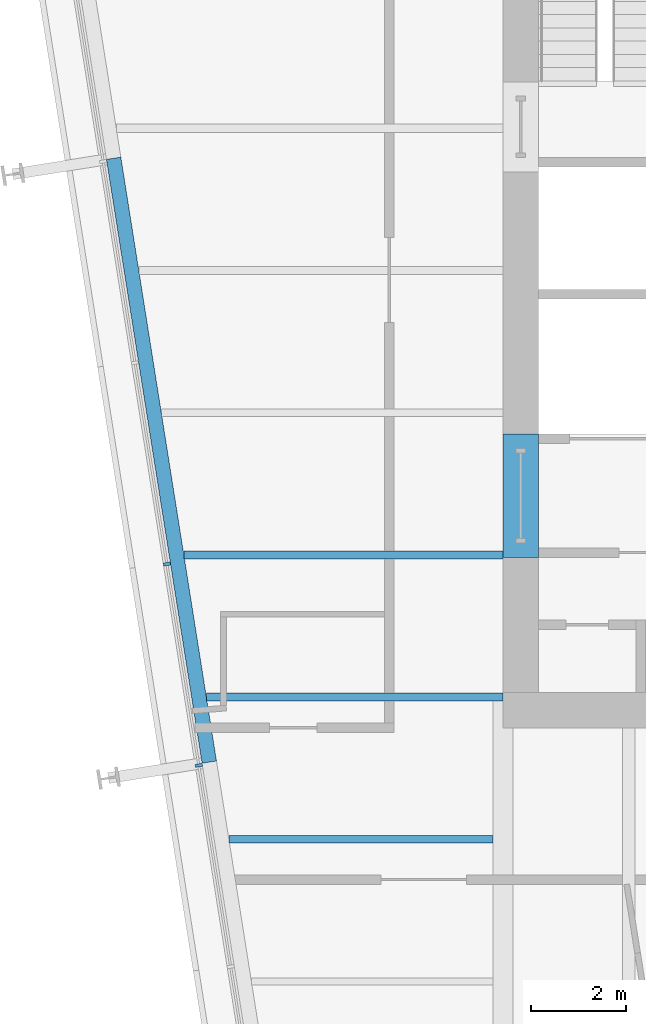
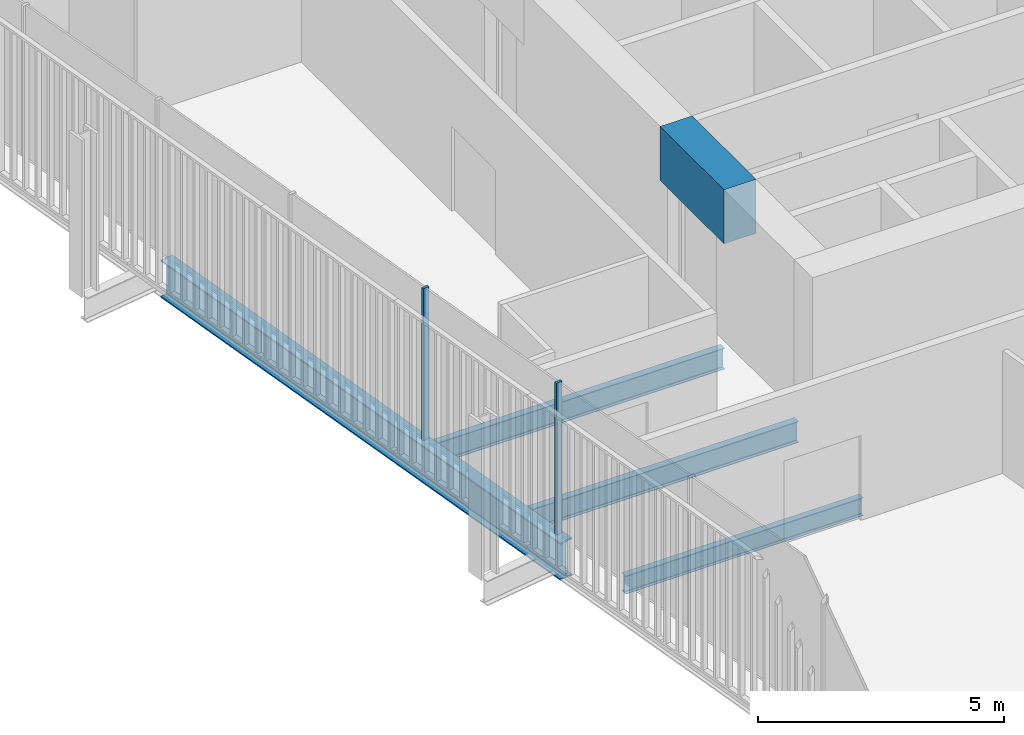
# One storey, part 4 of 21: 5 beams, 2 members, 1 element without a shape of its own.
"""IFC4 building model written with IfcOpenShell, lengths in metres."""

from ifc_helpers import new_model, si_unit, direction, frame, origin, origin_2d, place, context, subcontext, project, spatial, rectangle, i_section, extrude, material, layer, layer_set, material_profile, profile_set, type_object, element, aggregate, save


model = new_model("IFC4")

# Units and contexts
model_context = context("Model", 3, precision=1e-05, world=origin(), true_north=direction((0.0, 1.0)))
body_context = subcontext(model_context, "Body", "Model", "MODEL_VIEW")
ifc_project = project(units=[si_unit("LENGTHUNIT", "METRE"), si_unit("AREAUNIT", "SQUARE_METRE"), si_unit("VOLUMEUNIT", "CUBIC_METRE"), si_unit("PLANEANGLEUNIT", "RADIAN"), si_unit("MASSUNIT", "GRAM", prefix="KILO")], contexts=[model_context])

# Site, building, storey
site_placement = place(None, origin())
site = spatial("IfcSite", under=ifc_project, at=site_placement, CompositionType="ELEMENT")
building_placement = place(site_placement, origin())
building = spatial("IfcBuilding", under=site, at=building_placement, Name="Millrace Tower", CompositionType="ELEMENT")
storey_placement = place(building_placement, frame((0.0, 0.0, 164.60009765625)))
storey = spatial("IfcBuildingStorey", under=building, at=storey_placement, Name="L37", CompositionType="ELEMENT", Elevation=164.60009765625)

# Curtain wall, members
ifc_material_1 = material(Name="Aluminium and glass", Category="aluminium")
ifc_layer = layer(ifc_material_1, 0.14990234375)
ifc_layer_set = layer_set([ifc_layer], Name="Aluminium and glass")
curtain_wall_type = type_object("IfcCurtainWallType", Name="CW-1 office vision curtain wall", PredefinedType="NOTDEFINED", material=ifc_layer_set)
curtain_wall_placement = place(storey_placement, origin())
curtain_wall = element("IfcCurtainWall", 1, at=curtain_wall_placement, inside=storey, type_object=curtain_wall_type, Name="Curtain wall C-F08 L37", PredefinedType="NOTDEFINED")
ifc_material_2 = material(Name="Aluminium", Category="aluminium")
ifc_material_profile_1 = material_profile(ifc_material_2, rectangle(XDim=0.06494140625, YDim=0.14990234375, at=origin_2d()))
ifc_profile_set_1 = profile_set([ifc_material_profile_1], Name="Aluminium")
member_type = type_object("IfcMemberType", Name="CW-1 office vision curtain wall mullion", PredefinedType="MULLION", material=ifc_profile_set_1)
member_1_placement = place(storey_placement, frame((-21.743408203125, -6.193603515625, 0.139892578125), z_axis=(0.0, 0.0, 1.0), x_axis=(0.15643447328, -0.98768833929, 0.0)))
member_1 = element("IfcMember", 2, at=member_1_placement, type_object=member_type, Name="CW1 mullion C-F08.6", PredefinedType="MULLION", context=body_context, shape_type="SweptSolid", body=[
    extrude(rectangle(XDim=0.06494140625, YDim=0.14990234375, at=origin_2d()), origin(), (0.0, 0.0, 1.0), 3.760009765625),
])
member_2_placement = place(storey_placement, frame((-21.070556640625, -10.440673828125, 0.139892578125), z_axis=(0.0, 0.0, 1.0), x_axis=(0.15643447328, -0.98768833929, 0.0)))
member_2 = element("IfcMember", 3, at=member_2_placement, type_object=member_type, Name="CW1 mullion C-F08.7", PredefinedType="MULLION", context=body_context, shape_type="SweptSolid", body=[
    extrude(rectangle(XDim=0.06494140625, YDim=0.14990234375, at=origin_2d()), origin(), (0.0, 0.0, 1.0), 3.760009765625),
])
aggregate(curtain_wall, [member_1, member_2])

# Beams
ifc_material_3 = material(Name="Concrete C70", Category="concrete")
ifc_material_profile_2 = material_profile(ifc_material_3, rectangle(XDim=0.75, YDim=1.340087890625, at=origin_2d()))
ifc_profile_set_2 = profile_set([ifc_material_profile_2], Name="Concrete C70")
beam_type_1 = type_object("IfcBeamType", Name="Coupling beam 750 x 1340 Concrete C70, 2000 opening", PredefinedType="BEAM", material=ifc_profile_set_2)
beam_1_placement = place(storey_placement, frame((-14.27490234375, -6.050048828125, 3.06982421875), z_axis=(0.0, 1.0, 0.0), x_axis=(-1.0, 0.0, 0.0)))
element("IfcBeam", 4, at=beam_1_placement, inside=storey, type_object=beam_type_1, Name="Coupling beam W L37", PredefinedType="BEAM", context=body_context, shape_type="SweptSolid", body=[
    extrude(rectangle(XDim=0.75, YDim=1.340087890625, at=origin_2d()), origin(), (0.0, 0.0, 1.0), 2.60009765625),
])
ifc_material_4 = material(Name="Steel ASTM A992 Grade 50", Category="steel")
ifc_material_profile_3 = material_profile(ifc_material_4, i_section(OverallWidth=0.15234375, OverallDepth=0.449462890625, WebThickness=0.007568359375, FlangeThickness=0.0107421875, FilletRadius=0.01025390625, at=origin_2d()))
ifc_profile_set_3 = profile_set([ifc_material_profile_3], Name="Steel ASTM A992 Grade 50")
beam_type_2 = type_object("IfcBeamType", Name="Floor beam W18x35", PredefinedType="JOIST", material=ifc_profile_set_3)
beam_2_placement = place(storey_placement, frame((-20.4365234375, -12.0, -0.384765625), z_axis=(1.0, 0.0, 0.0), x_axis=(0.0, 1.0, 0.0)))
element("IfcBeam", 5, at=beam_2_placement, inside=storey, type_object=beam_type_2, Name="BM-C-L37-S1-S008", PredefinedType="JOIST", context=body_context, shape_type="SweptSolid", body=[
    extrude(i_section(OverallWidth=0.15234375, OverallDepth=0.449462890625, WebThickness=0.007568359375, FlangeThickness=0.0107421875, FilletRadius=0.01025390625, at=origin_2d()), origin(), (0.0, 0.0, 1.0), 5.576904296875),
])
ifc_material_5 = material(Name="Steel ASTM A992 Grade 50", Category="steel")
ifc_material_profile_4 = material_profile(ifc_material_5, i_section(OverallWidth=0.1650390625, OverallDepth=0.52587890625, WebThickness=0.0087890625, FlangeThickness=0.011474609375, FilletRadius=0.0126953125, at=origin_2d()))
ifc_profile_set_4 = profile_set([ifc_material_profile_4], Name="Steel ASTM A992 Grade 50")
beam_type_3 = type_object("IfcBeamType", Name="Floor beam W21x44", PredefinedType="JOIST", material=ifc_profile_set_4)
beam_3_placement = place(storey_placement, frame((-20.91162109375, -9.0, -0.423095703125), z_axis=(1.0, 0.0, 0.0), x_axis=(0.0, 1.0, 0.0)))
element("IfcBeam", 6, at=beam_3_placement, inside=storey, type_object=beam_type_3, Name="BM-C-L37-S1-S011", PredefinedType="JOIST", context=body_context, shape_type="SweptSolid", body=[
    extrude(i_section(OverallWidth=0.1650390625, OverallDepth=0.52587890625, WebThickness=0.0087890625, FlangeThickness=0.011474609375, FilletRadius=0.0126953125, at=origin_2d()), origin(), (0.0, 0.0, 1.0), 6.26171875),
])
beam_4_placement = place(storey_placement, frame((-21.386962890625, -6.0, -0.423095703125), z_axis=(1.0, 0.0, 0.0), x_axis=(0.0, 1.0, 0.0)))
element("IfcBeam", 7, at=beam_4_placement, inside=storey, type_object=beam_type_3, Name="BM-C-L37-S1-S014", PredefinedType="JOIST", context=body_context, shape_type="SweptSolid", body=[
    extrude(i_section(OverallWidth=0.1650390625, OverallDepth=0.52587890625, WebThickness=0.0087890625, FlangeThickness=0.011474609375, FilletRadius=0.0126953125, at=origin_2d()), origin(), (0.0, 0.0, 1.0), 6.737060546875),
])
ifc_material_6 = material(Name="Steel ASTM A992 Grade 50", Category="steel")
ifc_material_profile_5 = material_profile(ifc_material_6, i_section(OverallWidth=0.307373046875, OverallDepth=0.927001953125, WebThickness=0.01953125, FlangeThickness=0.031982421875, FilletRadius=0.01904296875, at=origin_2d()))
ifc_profile_set_5 = profile_set([ifc_material_profile_5], Name="Steel ASTM A992 Grade 50")
beam_type_4 = type_object("IfcBeamType", Name="Ring beam medium span W36x194", PredefinedType="SPANDREL", material=ifc_profile_set_5)
beam_5_placement = place(storey_placement, frame((-20.849853515625, -10.372802734375, -0.62353515625), z_axis=(-0.156438763615, 0.987687659758, 0.0), x_axis=(-0.987687659758, -0.156438763615, 0.0)))
element("IfcBeam", 8, at=beam_5_placement, inside=storey, type_object=beam_type_4, Name="RNG-C-L37-S1-02", PredefinedType="SPANDREL", context=body_context, shape_type="SweptSolid", body=[
    extrude(i_section(OverallWidth=0.307373046875, OverallDepth=0.927001953125, WebThickness=0.01953125, FlangeThickness=0.031982421875, FilletRadius=0.01904296875, at=origin_2d()), origin(), (0.0, 0.0, 1.0), 12.900146484375),
])

save(model, "model.ifc")
